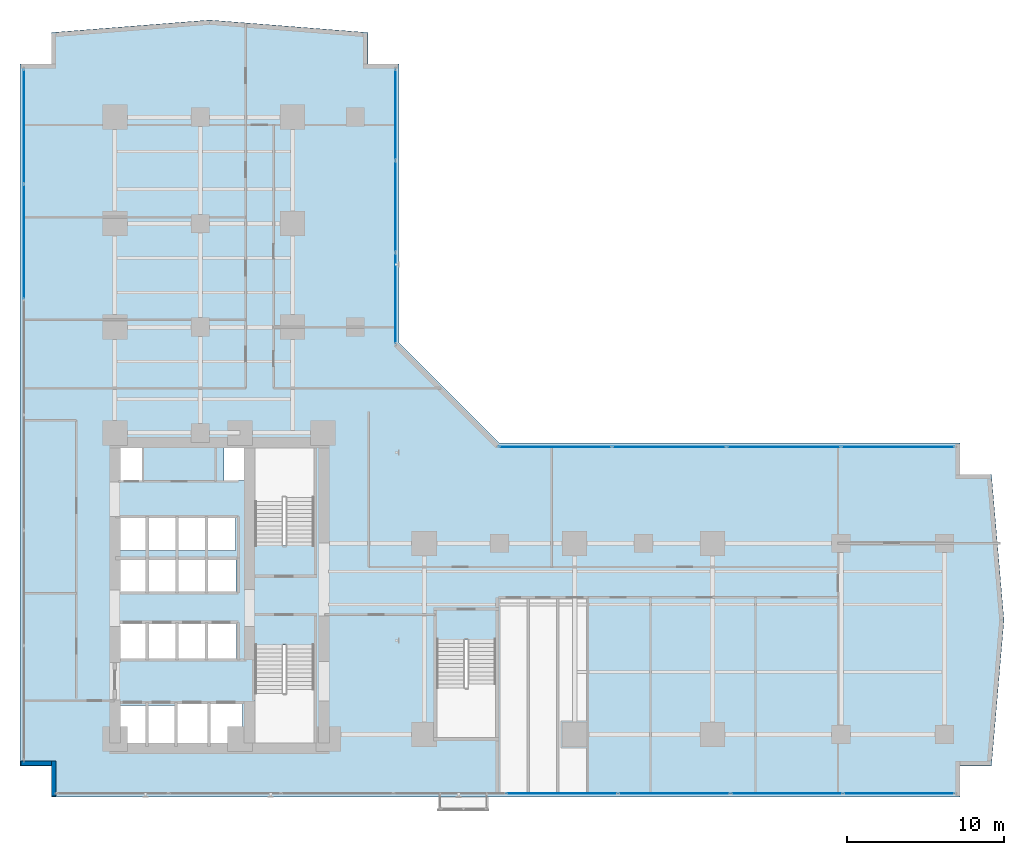
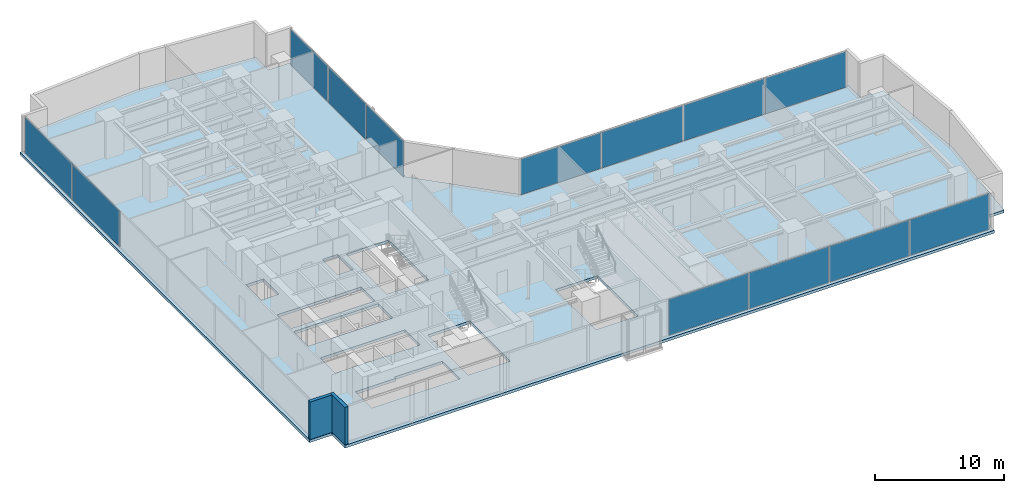
# One storey, part 21 of 27: 13 plates, 2 walls, 1 slab, 4 elements without a shape of their own.
"""IFC4 building model written with IfcOpenShell, lengths in metres."""

from ifc_helpers import new_model, si_unit, direction, frame, frame_2d, origin, origin_with_axes, origin_2d, place, context, subcontext, project, spatial, polyline, rectangle, outline, extrude, source, transform, mapped, material, layer, layer_set, type_object, element, aggregate, save


model = new_model("IFC4")

# Units and contexts
model_context = context("Model", 3, precision=1e-05, world=origin(), true_north=direction((0.0, 1.0)))
body_context = subcontext(model_context, "Body", "Model", "MODEL_VIEW")
ifc_project = project(units=[si_unit("LENGTHUNIT", "METRE"), si_unit("AREAUNIT", "SQUARE_METRE"), si_unit("VOLUMEUNIT", "CUBIC_METRE"), si_unit("PLANEANGLEUNIT", "RADIAN"), si_unit("MASSUNIT", "GRAM", prefix="KILO")], contexts=[model_context])

# Site, building, storey
site_placement = place(None, origin())
site = spatial("IfcSite", under=ifc_project, at=site_placement, CompositionType="ELEMENT")
building_placement = place(site_placement, origin())
building = spatial("IfcBuilding", under=site, at=building_placement, Name="Kolvaren Waterfront Exchange", CompositionType="ELEMENT")
storey_placement = place(building_placement, frame((0.0, 0.0, 63.800048828125)))
storey = spatial("IfcBuildingStorey", under=building, at=storey_placement, Name="L16", CompositionType="ELEMENT", Elevation=63.800048828125)

# Slab
ifc_material_1 = material(Name="Concrete C40/50", Category="concrete")
ifc_layer_1 = layer(ifc_material_1, 0.260009765625, Name="Concrete C40/50")
ifc_layer_set_1 = layer_set([ifc_layer_1], Name="Concrete C40/50")
slab_type = type_object("IfcSlabType", Name="STR-SLAB-260", PredefinedType="FLOOR", material=ifc_layer_set_1)
slab_placement = place(storey_placement, frame((0.0, 0.0, -0.260009765625)))
element("IfcSlab", 1, at=slab_placement, inside=storey, type_object=slab_type, Name="L16 structural floor slab", PredefinedType="FLOOR", context=body_context, shape_type="SweptSolid", body=[
    extrude(outline(polyline([(3.39990234375, 1.199951171875), (61.39990234375, 1.199951171875), (61.39990234375, 3.199951171875), (63.39990234375, 3.199951171875), (64.199951171875, 12.5), (63.39990234375, 21.800048828125), (61.39990234375, 21.800048828125), (61.39990234375, 23.800048828125), (32.0, 23.800048828125), (25.60009765625, 30.199951171875), (25.60009765625, 48.0), (23.60009765625, 48.0), (23.60009765625, 50.0), (13.5, 50.800048828125), (3.39990234375, 50.0), (3.39990234375, 48.0), (1.39990234375, 48.0), (1.39990234375, 3.199951171875), (3.39990234375, 3.199951171875), (3.39990234375, 1.199951171875)]), holes=[polyline([(11.320068359375, 7.260009765625), (15.610107421875, 7.260009765625), (15.610107421875, 4.5400390625), (7.719970703125, 4.5400390625), (7.719970703125, 7.06005859375), (11.320068359375, 7.06005859375), (11.320068359375, 7.260009765625)]), polyline([(20.159912109375, 4.64990234375), (16.39990234375, 4.64990234375), (16.39990234375, 10.89990234375), (20.159912109375, 10.89990234375), (20.159912109375, 4.64990234375)]), polyline([(31.760009765625, 5.0), (28.0, 5.0), (28.0, 11.25), (31.760009765625, 11.25), (31.760009765625, 5.0)]), polyline([(15.2099609375, 10.0400390625), (7.6201171875, 10.0400390625), (7.6201171875, 12.360107421875), (15.2099609375, 12.360107421875), (15.2099609375, 10.0400390625)]), polyline([(7.64501953125, 16.4599609375), (15.18505859375, 16.4599609375), (15.18505859375, 14.239990234375), (7.64501953125, 14.239990234375), (7.64501953125, 16.4599609375)]), polyline([(15.159912109375, 16.93994140625), (7.669921875, 16.93994140625), (7.669921875, 19.06005859375), (15.159912109375, 19.06005859375), (15.159912109375, 16.93994140625)]), polyline([(16.39990234375, 23.5), (20.159912109375, 23.5), (20.159912109375, 17.25), (16.39990234375, 17.25), (16.39990234375, 23.5)]), polyline([(7.60009765625, 23.780029296875), (9.179931640625, 23.780029296875), (9.179931640625, 21.419921875), (7.60009765625, 21.419921875), (7.60009765625, 23.780029296875)]), polyline([(15.800048828125, 23.780029296875), (15.800048828125, 21.419921875), (14.419921875, 21.419921875), (14.419921875, 23.780029296875), (15.800048828125, 23.780029296875)])]), origin(), (0.0, 0.0, 1.0), 0.260009765625),
])

# Curtain wall, plates
ifc_material_2 = material(Name="Anodised bronze aluminium 6063-T6", Category="aluminium")
ifc_layer_2 = layer(ifc_material_2, 0.219970703125, Name="Anodised bronze aluminium 6063-T6")
ifc_layer_set_2 = layer_set([ifc_layer_2], Name="Anodised bronze aluminium 6063-T6")
curtain_wall_type_1 = type_object("IfcCurtainWallType", Name="ARC-CW-SYS1", PredefinedType="USERDEFINED", material=ifc_layer_set_2)
curtain_wall_1_placement = place(storey_placement, origin())
curtain_wall_1 = element("IfcCurtainWall", 2, at=curtain_wall_1_placement, inside=storey, type_object=curtain_wall_type_1, Name="L16 stick curtain wall CW1 (CW-L16-S)", ObjectType="STICK CURTAIN WALL", PredefinedType="USERDEFINED")
ifc_material_3 = material(Name="Bronze solar control vision glass", Category="aluminium")
ifc_layer_3 = layer(ifc_material_3, 0.028076171875, Name="Bronze solar control vision glass")
ifc_layer_set_3 = layer_set([ifc_layer_3], Name="Bronze solar control vision glass")
plate_type_1 = type_object("IfcPlateType", Name="ARC-CWP-28", PredefinedType="CURTAIN_PANEL", material=ifc_layer_set_3)
shared_shape_1 = source(origin_with_axes(), body_context, "Body", "SweptSolid", [
    extrude(rectangle(XDim=7.054931640625, YDim=0.028076171875, at=origin_2d()), origin(), (0.0, 0.0, 1.0), 3.389892578125),
])
plate_1_placement = place(storey_placement, frame((57.492431640625, 1.43994140625, 0.0751953125), z_axis=(0.0, 0.0, 1.0), x_axis=(1.0, 0.0, 0.0)))
plate_1 = element("IfcPlate", 3, at=plate_1_placement, type_object=plate_type_1, Name="CW1 panel 8.1", PredefinedType="CURTAIN_PANEL", context=body_context, shape_type="MappedRepresentation", body=[
    mapped(shared_shape_1, transform((0.0, 0.0, 0.0), x_axis=(1.0, 0.0, 0.0), y_axis=(0.0, 1.0, 0.0), z_axis=(0.0, 0.0, 1.0), scale=1.0)),
])
shared_shape_2 = source(origin_with_axes(), body_context, "Body", "SweptSolid", [
    extrude(rectangle(XDim=7.094970703125, YDim=0.028076171875, at=origin_2d()), origin(), (0.0, 0.0, 1.0), 3.389892578125),
])
plate_2_placement = place(storey_placement, frame((35.987548828125, 1.43994140625, 0.0751953125), z_axis=(0.0, 0.0, 1.0), x_axis=(1.0, 0.0, 0.0)))
plate_2 = element("IfcPlate", 4, at=plate_2_placement, type_object=plate_type_1, Name="CW1 panel 5.1", PredefinedType="CURTAIN_PANEL", context=body_context, shape_type="MappedRepresentation", body=[
    mapped(shared_shape_2, transform((0.0, 0.0, 0.0), x_axis=(1.0, 0.0, 0.0), y_axis=(0.0, 1.0, 0.0), z_axis=(0.0, 0.0, 1.0), scale=1.0)),
])
plate_3_placement = place(storey_placement, frame((43.16259765625, 1.43994140625, 0.0751953125), z_axis=(0.0, 0.0, 1.0), x_axis=(1.0, 0.0, 0.0)))
plate_3 = element("IfcPlate", 5, at=plate_3_placement, type_object=plate_type_1, Name="CW1 panel 6.1", PredefinedType="CURTAIN_PANEL", context=body_context, shape_type="MappedRepresentation", body=[
    mapped(shared_shape_2, transform((0.0, 0.0, 0.0), x_axis=(1.0, 0.0, 0.0), y_axis=(0.0, 1.0, 0.0), z_axis=(0.0, 0.0, 1.0), scale=1.0)),
])
plate_4_placement = place(storey_placement, frame((50.33740234375, 1.43994140625, 0.0751953125), z_axis=(0.0, 0.0, 1.0), x_axis=(1.0, 0.0, 0.0)))
plate_4 = element("IfcPlate", 6, at=plate_4_placement, type_object=plate_type_1, Name="CW1 panel 7.1", PredefinedType="CURTAIN_PANEL", context=body_context, shape_type="MappedRepresentation", body=[
    mapped(shared_shape_2, transform((0.0, 0.0, 0.0), x_axis=(1.0, 0.0, 0.0), y_axis=(0.0, 1.0, 0.0), z_axis=(0.0, 0.0, 1.0), scale=1.0)),
])
aggregate(curtain_wall_1, [plate_2, plate_3, plate_4, plate_1])

ifc_material_4 = material(Name="Anodised aluminium 6063-T6", Category="aluminium")
ifc_layer_4 = layer(ifc_material_4, 0.219970703125, Name="Anodised aluminium 6063-T6")
ifc_layer_set_4 = layer_set([ifc_layer_4], Name="Anodised aluminium 6063-T6")
curtain_wall_type_2 = type_object("IfcCurtainWallType", Name="ARC-CW-SYS2", PredefinedType="USERDEFINED", material=ifc_layer_set_4)
curtain_wall_2_placement = place(storey_placement, origin())
curtain_wall_2 = element("IfcCurtainWall", 7, at=curtain_wall_2_placement, inside=storey, type_object=curtain_wall_type_2, Name="L16 stick curtain wall CW2 (CW-L16-W)", ObjectType="STICK CURTAIN WALL", PredefinedType="USERDEFINED")
ifc_material_5 = material(Name="Acoustic laminated vision glass", Category="glass")
ifc_layer_5 = layer(ifc_material_5, 0.031982421875, Name="Acoustic laminated vision glass")
ifc_layer_set_5 = layer_set([ifc_layer_5], Name="Acoustic laminated vision glass")
plate_type_2 = type_object("IfcPlateType", Name="ARC-CWP-32", PredefinedType="CURTAIN_PANEL", material=ifc_layer_set_5)
shared_shape_3 = source(origin_with_axes(), body_context, "Body", "SweptSolid", [
    extrude(rectangle(XDim=7.24658203125, YDim=0.031982421875, at=origin_2d()), origin(), (0.0, 0.0, 1.0), 3.389892578125),
])
plate_5_placement = place(storey_placement, frame((1.639892578125, 43.99658203125, 0.0751953125), z_axis=(0.0, 0.0, 1.0), x_axis=(0.0, 1.0, 0.0)))
plate_5 = element("IfcPlate", 8, at=plate_5_placement, type_object=plate_type_2, Name="CW2 panel 6.1", PredefinedType="CURTAIN_PANEL", context=body_context, shape_type="MappedRepresentation", body=[
    mapped(shared_shape_3, transform((0.0, 0.0, 0.0), x_axis=(1.0, 0.0, 0.0), y_axis=(0.0, 1.0, 0.0), z_axis=(0.0, 0.0, 1.0), scale=1.0)),
])
shared_shape_4 = source(origin_with_axes(), body_context, "Body", "SweptSolid", [
    extrude(rectangle(XDim=7.28662109375, YDim=0.031982421875, at=origin_2d()), origin(), (0.0, 0.0, 1.0), 3.389892578125),
])
plate_6_placement = place(storey_placement, frame((1.639892578125, 36.64990234375, 0.0751953125), z_axis=(0.0, 0.0, 1.0), x_axis=(0.0, 1.0, 0.0)))
plate_6 = element("IfcPlate", 9, at=plate_6_placement, type_object=plate_type_2, Name="CW2 panel 5.1", PredefinedType="CURTAIN_PANEL", context=body_context, shape_type="MappedRepresentation", body=[
    mapped(shared_shape_4, transform((0.0, 0.0, 0.0), x_axis=(1.0, 0.0, 0.0), y_axis=(0.0, 1.0, 0.0), z_axis=(0.0, 0.0, 1.0), scale=1.0)),
])
aggregate(curtain_wall_2, [plate_6, plate_5])

curtain_wall_3_placement = place(storey_placement, origin())
curtain_wall_3 = element("IfcCurtainWall", 10, at=curtain_wall_3_placement, inside=storey, type_object=curtain_wall_type_1, Name="L16 stick curtain wall CW1 (CW-L16-NE)", ObjectType="STICK CURTAIN WALL", PredefinedType="USERDEFINED")
shared_shape_5 = source(origin_with_axes(), body_context, "Body", "SweptSolid", [
    extrude(rectangle(XDim=5.75, YDim=0.028076171875, at=origin_2d()), origin(), (0.0, 0.0, 1.0), 3.389892578125),
])
plate_7_placement = place(storey_placement, frame((25.360107421875, 33.044921875, 0.0751953125), z_axis=(0.0, 0.0, 1.0), x_axis=(0.0, 1.0, 0.0)))
plate_7 = element("IfcPlate", 11, at=plate_7_placement, type_object=plate_type_1, Name="CW1 panel 1.1", PredefinedType="CURTAIN_PANEL", context=body_context, shape_type="MappedRepresentation", body=[
    mapped(shared_shape_5, transform((0.0, 0.0, 0.0), x_axis=(1.0, 0.0, 0.0), y_axis=(0.0, 1.0, 0.0), z_axis=(0.0, 0.0, 1.0), scale=1.0)),
])
plate_8_placement = place(storey_placement, frame((25.360107421875, 44.7451171875, 0.0751953125), z_axis=(0.0, 0.0, 1.0), x_axis=(0.0, 1.0, 0.0)))
plate_8 = element("IfcPlate", 12, at=plate_8_placement, type_object=plate_type_1, Name="CW1 panel 3.1", PredefinedType="CURTAIN_PANEL", context=body_context, shape_type="MappedRepresentation", body=[
    mapped(shared_shape_5, transform((0.0, 0.0, 0.0), x_axis=(1.0, 0.0, 0.0), y_axis=(0.0, 1.0, 0.0), z_axis=(0.0, 0.0, 1.0), scale=1.0)),
])
shared_shape_6 = source(origin_with_axes(), body_context, "Body", "SweptSolid", [
    extrude(rectangle(XDim=5.7900390625, YDim=0.028076171875, at=origin_2d()), origin(), (0.0, 0.0, 1.0), 3.389892578125),
])
plate_9_placement = place(storey_placement, frame((25.360107421875, 38.89501953125, 0.0751953125), z_axis=(0.0, 0.0, 1.0), x_axis=(0.0, 1.0, 0.0)))
plate_9 = element("IfcPlate", 13, at=plate_9_placement, type_object=plate_type_1, Name="CW1 panel 2.1", PredefinedType="CURTAIN_PANEL", context=body_context, shape_type="MappedRepresentation", body=[
    mapped(shared_shape_6, transform((0.0, 0.0, 0.0), x_axis=(1.0, 0.0, 0.0), y_axis=(0.0, 1.0, 0.0), z_axis=(0.0, 0.0, 1.0), scale=1.0)),
])
aggregate(curtain_wall_3, [plate_7, plate_9, plate_8])

curtain_wall_4_placement = place(storey_placement, origin())
curtain_wall_4 = element("IfcCurtainWall", 14, at=curtain_wall_4_placement, inside=storey, type_object=curtain_wall_type_1, Name="L16 stick curtain wall CW1 (CW-L16-EN)", ObjectType="STICK CURTAIN WALL", PredefinedType="USERDEFINED")
shared_shape_7 = source(origin_with_axes(), body_context, "Body", "SweptSolid", [
    extrude(rectangle(XDim=7.1826171875, YDim=0.028076171875, at=origin_2d()), origin(), (0.0, 0.0, 1.0), 3.389892578125),
])
plate_10_placement = place(storey_placement, frame((35.561279296875, 23.56005859375, 0.0751953125), z_axis=(0.0, 0.0, 1.0), x_axis=(1.0, 0.0, 0.0)))
plate_10 = element("IfcPlate", 15, at=plate_10_placement, type_object=plate_type_1, Name="CW1 panel 1.1", PredefinedType="CURTAIN_PANEL", context=body_context, shape_type="MappedRepresentation", body=[
    mapped(shared_shape_7, transform((0.0, 0.0, 0.0), x_axis=(1.0, 0.0, 0.0), y_axis=(0.0, 1.0, 0.0), z_axis=(0.0, 0.0, 1.0), scale=1.0)),
])
plate_11_placement = place(storey_placement, frame((57.4287109375, 23.56005859375, 0.0751953125), z_axis=(0.0, 0.0, 1.0), x_axis=(1.0, 0.0, 0.0)))
plate_11 = element("IfcPlate", 16, at=plate_11_placement, type_object=plate_type_1, Name="CW1 panel 4.1", PredefinedType="CURTAIN_PANEL", context=body_context, shape_type="MappedRepresentation", body=[
    mapped(shared_shape_7, transform((0.0, 0.0, 0.0), x_axis=(1.0, 0.0, 0.0), y_axis=(0.0, 1.0, 0.0), z_axis=(0.0, 0.0, 1.0), scale=1.0)),
])
shared_shape_8 = source(origin_with_axes(), body_context, "Body", "SweptSolid", [
    extrude(rectangle(XDim=7.222412109375, YDim=0.028076171875, at=origin_2d()), origin(), (0.0, 0.0, 1.0), 3.389892578125),
])
plate_12_placement = place(storey_placement, frame((42.84375, 23.56005859375, 0.0751953125), z_axis=(0.0, 0.0, 1.0), x_axis=(1.0, 0.0, 0.0)))
plate_12 = element("IfcPlate", 17, at=plate_12_placement, type_object=plate_type_1, Name="CW1 panel 2.1", PredefinedType="CURTAIN_PANEL", context=body_context, shape_type="MappedRepresentation", body=[
    mapped(shared_shape_8, transform((0.0, 0.0, 0.0), x_axis=(1.0, 0.0, 0.0), y_axis=(0.0, 1.0, 0.0), z_axis=(0.0, 0.0, 1.0), scale=1.0)),
])
plate_13_placement = place(storey_placement, frame((50.146240234375, 23.56005859375, 0.0751953125), z_axis=(0.0, 0.0, 1.0), x_axis=(1.0, 0.0, 0.0)))
plate_13 = element("IfcPlate", 18, at=plate_13_placement, type_object=plate_type_1, Name="CW1 panel 3.1", PredefinedType="CURTAIN_PANEL", context=body_context, shape_type="MappedRepresentation", body=[
    mapped(shared_shape_8, transform((0.0, 0.0, 0.0), x_axis=(1.0, 0.0, 0.0), y_axis=(0.0, 1.0, 0.0), z_axis=(0.0, 0.0, 1.0), scale=1.0)),
])
aggregate(curtain_wall_4, [plate_10, plate_12, plate_13, plate_11])

# Walls
ifc_material_6 = material(Name="Precast concrete C40/50", Category="concrete")
ifc_layer_6 = layer(ifc_material_6, 0.280029296875, Name="Precast concrete C40/50")
ifc_layer_set_6 = layer_set([ifc_layer_6], Name="Precast concrete C40/50")
wall_type = type_object("IfcWallType", Name="ARC-EXT-TERR-280", PredefinedType="SOLIDWALL", material=ifc_layer_set_6)
wall_1_placement = place(storey_placement, frame((3.56005859375, 1.260009765625, 0.0), z_axis=(0.0, 0.0, 1.0), x_axis=(0.0, 1.0, 0.0)))
element("IfcWall", 19, at=wall_1_placement, inside=storey, type_object=wall_type, Name="L16 notched corner spandrel pier SW-A", PredefinedType="SOLIDWALL", context=body_context, shape_type="SweptSolid", body=[
    extrude(rectangle(XDim=2.239990234375, YDim=0.280029296875, at=frame_2d((1.1201171875, 0.0))), origin(), (0.0, 0.0, 1.0), 3.5400390625),
])
wall_2_placement = place(storey_placement, frame((1.4599609375, 3.360107421875, 0.0), z_axis=(0.0, 0.0, 1.0), x_axis=(1.0, 0.0, 0.0)))
element("IfcWall", 20, at=wall_2_placement, inside=storey, type_object=wall_type, Name="L16 notched corner spandrel pier SW-B", PredefinedType="SOLIDWALL", context=body_context, shape_type="SweptSolid", body=[
    extrude(rectangle(XDim=1.9599609375, YDim=0.280029296875, at=frame_2d((0.97998046875, 0.0))), origin(), (0.0, 0.0, 1.0), 3.5400390625),
])

save(model, "model.ifc")
